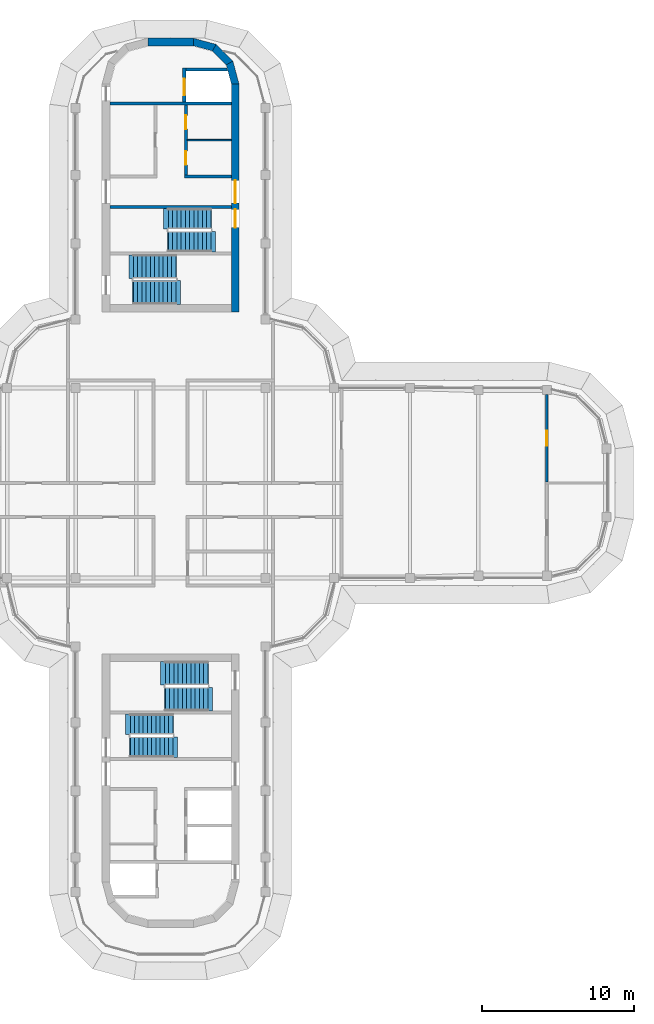
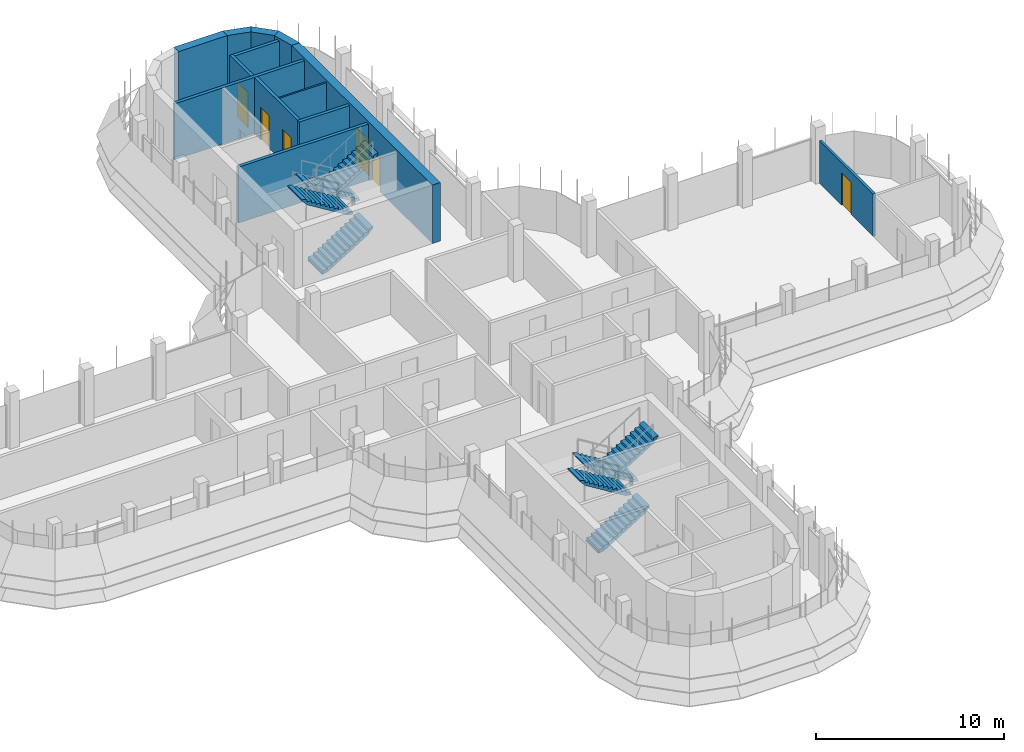
# One storey, part 15 of 19: 13 walls, 8 stair flights, 6 doors, 6 openings, 4 elements without a shape of their own.
"""IFC4 building model written with IfcOpenShell, lengths in metres."""

from ifc_helpers import new_model, si_unit, direction, frame, frame_2d, origin, place, context, subcontext, project, spatial, polyline, rectangle, outline, extrude, material, layer, layer_set, type_object, element, fill, aggregate, save


model = new_model("IFC4")

# Units and contexts
model_context = context("Model", 3, precision=1e-05, world=origin(), true_north=direction((0.0, 1.0)))
body_context = subcontext(model_context, "Body", "Model", "MODEL_VIEW")
ifc_project = project(units=[si_unit("LENGTHUNIT", "METRE"), si_unit("AREAUNIT", "SQUARE_METRE"), si_unit("VOLUMEUNIT", "CUBIC_METRE"), si_unit("PLANEANGLEUNIT", "RADIAN"), si_unit("MASSUNIT", "GRAM", prefix="KILO")], contexts=[model_context])

# Site, building, storey
site_placement = place(None, origin())
site = spatial("IfcSite", under=ifc_project, at=site_placement, CompositionType="ELEMENT")
building_placement = place(site_placement, origin())
building = spatial("IfcBuilding", under=site, at=building_placement, Name="Zarbagh Exchange Tower", CompositionType="ELEMENT")
storey_placement = place(building_placement, frame((0.0, 0.0, 276.39990234375)))
storey = spatial("IfcBuildingStorey", under=building, at=storey_placement, Name="L68", CompositionType="ELEMENT", Elevation=276.39990234375)

# Wall
ifc_material_1 = material(Name="Dense blockwork", Category="masonry")
ifc_layer_1 = layer(ifc_material_1, 0.10009765625)
ifc_layer_set_1 = layer_set([ifc_layer_1], Name="Core partition 100 mm blockwork")
wall_type_1 = type_object("IfcWallType", Name="Core partition 100 mm blockwork", PredefinedType="PARTITIONING", material=ifc_layer_set_1)
wall_1_placement = place(storey_placement, frame((1.10009765625, 22.550048828125, 0.0), z_axis=(0.0, 0.0, 1.0), x_axis=(1.0, 0.0, 0.0)))
element("IfcWall", 1, at=wall_1_placement, inside=storey, type_object=wall_type_1, Name="North core partition wall CUT-E-580", PredefinedType="PARTITIONING", context=body_context, shape_type="SweptSolid", body=[
    extrude(rectangle(XDim=2.89990234375, YDim=0.10009765625, at=frame_2d((1.449951171875, 0.0))), origin(), (0.0, 0.0, 1.0), 3.650146484375),
])

# Wall, opening, door
ifc_material_2 = material(Name="Plasterboard partition")
ifc_layer_2 = layer(ifc_material_2, 0.14990234375)
ifc_layer_set_2 = layer_set([ifc_layer_2], Name="PARTITION 150")
wall_type_2 = type_object("IfcWallType", Name="PARTITION 150", PredefinedType="PARTITIONING", material=ifc_layer_set_2)
wall_2_placement = place(storey_placement, frame((24.75, 5.81005859375, 0.0), z_axis=(0.0, 0.0, 1.0), x_axis=(0.0, -1.0, 0.0)))
wall_2 = element("IfcWall", 2, at=wall_2_placement, inside=storey, type_object=wall_type_2, Name="Partition W-2935", PredefinedType="PARTITIONING", context=body_context, shape_type="SweptSolid", body=[
    extrude(rectangle(XDim=5.735107421875, YDim=0.14990234375, at=frame_2d((2.86767578125, 0.0))), origin(), (0.0, 0.0, 1.0), 2.75),
])
opening_1_placement = place(wall_2_placement, frame((2.367431640625, 0.0, 0.0)))
opening_1 = element("IfcOpeningElement", 3, at=opening_1_placement, cuts=wall_2, Name="Opening D-2901", PredefinedType="OPENING", context=body_context, shape_type="SweptSolid", body=[
    extrude(rectangle(XDim=1.0, YDim=2.10009765625, at=frame_2d((0.5, 1.050048828125))), frame((0.0, 0.0849609375, 0.0), z_axis=(0.0, -1.0, 0.0), x_axis=(1.0, 0.0, 0.0)), (0.0, 0.0, 1.0), 0.169921875),
])
ifc_material_3 = material(Name="Timber door leaf", Category="wood")
door_type_1 = type_object("IfcDoorType", Name="DOOR 1000 X 2100", OperationType="NOTDEFINED", PredefinedType="DOOR", material=ifc_material_3)
door_1_placement = place(opening_1_placement, origin())
door_1 = element("IfcDoor", 4, at=door_1_placement, inside=storey, type_object=door_type_1, Name="Door D-2901", OperationType="SINGLE_SWING_RIGHT", OverallHeight=2.10009765625, OverallWidth=1.0, PredefinedType="DOOR", context=body_context, shape_type="SweptSolid", body=[
    extrude(rectangle(XDim=1.0, YDim=2.10009765625, at=frame_2d((0.5, 1.050048828125))), frame((0.0, 0.02490234375, 0.0), z_axis=(0.0, -1.0, 0.0), x_axis=(1.0, 0.0, 0.0)), (0.0, 0.0, 1.0), 0.050048828125),
])
fill(opening_1, door_1)

# Walls
ifc_material_4 = material(Name="Concrete C40/50", Category="concrete")
ifc_layer_3 = layer(ifc_material_4, 0.5)
ifc_layer_set_3 = layer_set([ifc_layer_3], Name="RC core corner wall 500 C40/50")
wall_type_3 = type_object("IfcWallType", Name="RC core corner wall 500 C40/50", PredefinedType="SHEAR", material=ifc_layer_set_3)
wall_3_placement = place(storey_placement, origin())
element("IfcWall", 5, at=wall_3_placement, inside=storey, type_object=wall_type_3, Name="CW10 core N corner E", PredefinedType="SHEAR", context=body_context, shape_type="SweptSolid", body=[
    extrude(outline(polyline([(4.5, 26.25), (4.09814453125, 27.75), (3.6650390625, 27.5), (4.0, 26.25), (4.5, 26.25)])), origin(), (0.0, 0.0, 1.0), 3.800048828125),
])
wall_4_placement = place(storey_placement, origin())
element("IfcWall", 6, at=wall_4_placement, inside=storey, type_object=wall_type_3, Name="CW10 core N corner E", PredefinedType="SHEAR", context=body_context, shape_type="SweptSolid", body=[
    extrude(outline(polyline([(4.09814453125, 27.75), (3.0, 28.84814453125), (2.75, 28.4150390625), (3.6650390625, 27.5), (4.09814453125, 27.75)])), origin(), (0.0, 0.0, 1.0), 3.800048828125),
])
wall_5_placement = place(storey_placement, origin())
element("IfcWall", 7, at=wall_5_placement, inside=storey, type_object=wall_type_3, Name="CW10 core N corner E", PredefinedType="SHEAR", context=body_context, shape_type="SweptSolid", body=[
    extrude(outline(polyline([(3.0, 28.84814453125), (1.5, 29.25), (1.5, 28.75), (2.75, 28.4150390625), (3.0, 28.84814453125)])), origin(), (0.0, 0.0, 1.0), 3.800048828125),
])

# Wall, openings, doors
ifc_layer_4 = layer(ifc_material_4, 0.5)
ifc_layer_set_4 = layer_set([ifc_layer_4], Name="RC core wall 500 C40/50")
wall_type_4 = type_object("IfcWallType", Name="RC core wall 500 C40/50", PredefinedType="SHEAR", material=ifc_layer_set_4)
wall_6_placement = place(storey_placement, frame((4.25, 11.25, 0.0), z_axis=(0.0, 0.0, 1.0), x_axis=(0.0, 1.0, 0.0)))
wall_6 = element("IfcWall", 8, at=wall_6_placement, inside=storey, type_object=wall_type_4, Name="CW9 core N E", PredefinedType="SHEAR", context=body_context, shape_type="SweptSolid", body=[
    extrude(rectangle(XDim=15.0, YDim=0.5, at=frame_2d((7.5, 0.0))), origin(), (0.0, 0.0, 1.0), 3.800048828125),
])
opening_2_placement = place(wall_6_placement, frame((7.14990234375, 0.0, 0.0)))
opening_2 = element("IfcOpeningElement", 9, at=opening_2_placement, cuts=wall_6, Name="Opening CD1-1500", PredefinedType="OPENING", context=body_context, shape_type="SweptSolid", body=[
    extrude(rectangle(XDim=1.5, YDim=2.300048828125, at=frame_2d((0.75, 1.14990234375))), frame((0.0, 0.260009765625, 0.0), z_axis=(0.0, -1.0, 0.0), x_axis=(1.0, 0.0, 0.0)), (0.0, 0.0, 1.0), 0.52001953125),
])
opening_3_placement = place(wall_6_placement, frame((5.550048828125, 0.0, 0.0)))
opening_3 = element("IfcOpeningElement", 10, at=opening_3_placement, cuts=wall_6, Name="Opening SD1-1200", PredefinedType="OPENING", context=body_context, shape_type="SweptSolid", body=[
    extrude(rectangle(XDim=1.199951171875, YDim=2.10009765625, at=frame_2d((0.60009765625, 1.050048828125))), frame((0.0, 0.260009765625, 0.0), z_axis=(0.0, -1.0, 0.0), x_axis=(1.0, 0.0, 0.0)), (0.0, 0.0, 1.0), 0.52001953125),
])
ifc_material_5 = material(Name="Steel", Category="steel")
door_type_2 = type_object("IfcDoorType", Name="Exit stair door 1200 x 2100", OperationType="NOTDEFINED", PredefinedType="DOOR", material=ifc_material_5)
door_2_placement = place(opening_3_placement, origin())
door_2 = element("IfcDoor", 11, at=door_2_placement, inside=storey, type_object=door_type_2, Name="North core stair door ST1", OperationType="SINGLE_SWING_RIGHT", OverallHeight=2.10009765625, OverallWidth=1.199951171875, PredefinedType="DOOR", context=body_context, shape_type="SweptSolid", body=[
    extrude(rectangle(XDim=1.199951171875, YDim=2.10009765625, at=frame_2d((0.60009765625, 1.050048828125))), frame((0.0, 0.02490234375, 0.0), z_axis=(0.0, -1.0, 0.0), x_axis=(1.0, 0.0, 0.0)), (0.0, 0.0, 1.0), 0.050048828125),
])
fill(opening_3, door_2)
door_type_3 = type_object("IfcDoorType", Name="Lift lobby double door 1500 x 2300", OperationType="NOTDEFINED", PredefinedType="DOOR", material=ifc_material_5)
door_3_placement = place(opening_2_placement, origin())
door_3 = element("IfcDoor", 12, at=door_3_placement, inside=storey, type_object=door_type_3, Name="North core lift lobby door LOBBY-E", OperationType="DOUBLE_DOOR_SINGLE_SWING", OverallHeight=2.300048828125, OverallWidth=1.5, PredefinedType="DOOR", context=body_context, shape_type="SweptSolid", body=[
    extrude(rectangle(XDim=1.5, YDim=2.300048828125, at=frame_2d((0.75, 1.14990234375))), frame((0.0, 0.02490234375, 0.0), z_axis=(0.0, -1.0, 0.0), x_axis=(1.0, 0.0, 0.0)), (0.0, 0.0, 1.0), 0.050048828125),
])
fill(opening_2, door_3)

# Walls
wall_7_placement = place(storey_placement, frame((-1.5, 29.0, 0.0), z_axis=(0.0, 0.0, 1.0), x_axis=(1.0, 0.0, 0.0)))
element("IfcWall", 13, at=wall_7_placement, inside=storey, type_object=wall_type_4, Name="CW9 core N outer end", PredefinedType="SHEAR", context=body_context, shape_type="SweptSolid", body=[
    extrude(rectangle(XDim=3.0, YDim=0.5, at=frame_2d((1.5, 0.0))), origin(), (0.0, 0.0, 1.0), 3.800048828125),
])
ifc_layer_5 = layer(ifc_material_1, 0.199951171875)
ifc_layer_set_5 = layer_set([ifc_layer_5], Name="Shaft wall 200 mm blockwork")
wall_type_5 = type_object("IfcWallType", Name="Shaft wall 200 mm blockwork", PredefinedType="PARTITIONING", material=ifc_layer_set_5)
wall_8_placement = place(storey_placement, frame((0.89990234375, 20.14990234375, 0.0), z_axis=(0.0, 0.0, 1.0), x_axis=(1.0, 0.0, 0.0)))
element("IfcWall", 14, at=wall_8_placement, inside=storey, type_object=wall_type_5, Name="North core shaft wall AB-E", PredefinedType="PARTITIONING", context=body_context, shape_type="SweptSolid", body=[
    extrude(rectangle(XDim=3.10009765625, YDim=0.199951171875, at=frame_2d((1.550048828125, 0.0))), origin(), (0.0, 0.0, 1.0), 3.650146484375),
])

# Wall, openings, doors
wall_9_placement = place(storey_placement, frame((1.0, 24.85009765625, 0.0), z_axis=(0.0, 0.0, 1.0), x_axis=(0.0, -1.0, 0.0)))
wall_9 = element("IfcWall", 15, at=wall_9_placement, inside=storey, type_object=wall_type_5, Name="North core shaft wall LW-E", PredefinedType="PARTITIONING", context=body_context, shape_type="SweptSolid", body=[
    extrude(rectangle(XDim=4.60009765625, YDim=0.199951171875, at=frame_2d((2.300048828125, 0.0))), origin(), (0.0, 0.0, 1.0), 3.650146484375),
])
opening_4_placement = place(wall_9_placement, frame((0.675048828125, 0.0, 0.0)))
opening_4 = element("IfcOpeningElement", 16, at=opening_4_placement, cuts=wall_9, Name="Opening CD3-900", PredefinedType="OPENING", context=body_context, shape_type="SweptSolid", body=[
    extrude(rectangle(XDim=0.89990234375, YDim=2.10009765625, at=frame_2d((0.449951171875, 1.050048828125))), frame((0.0, 0.10986328125, 0.0), z_axis=(0.0, -1.0, 0.0), x_axis=(1.0, 0.0, 0.0)), (0.0, 0.0, 1.0), 0.219970703125),
])
opening_5_placement = place(wall_9_placement, frame((3.02490234375, 0.0, 0.0)))
opening_5 = element("IfcOpeningElement", 17, at=opening_5_placement, cuts=wall_9, Name="Opening CD3-900", PredefinedType="OPENING", context=body_context, shape_type="SweptSolid", body=[
    extrude(rectangle(XDim=0.89990234375, YDim=2.10009765625, at=frame_2d((0.449951171875, 1.050048828125))), frame((0.0, 0.10986328125, 0.0), z_axis=(0.0, -1.0, 0.0), x_axis=(1.0, 0.0, 0.0)), (0.0, 0.0, 1.0), 0.219970703125),
])
door_type_4 = type_object("IfcDoorType", Name="Core room door 900 x 2100", OperationType="NOTDEFINED", PredefinedType="DOOR", material=ifc_material_5)
door_4_placement = place(opening_4_placement, origin())
door_4 = element("IfcDoor", 18, at=door_4_placement, inside=storey, type_object=door_type_4, Name="North core Staff WC door RD-E-0", OperationType="SINGLE_SWING_LEFT", OverallHeight=2.10009765625, OverallWidth=0.89990234375, PredefinedType="DOOR", context=body_context, shape_type="SweptSolid", body=[
    extrude(rectangle(XDim=0.89990234375, YDim=2.10009765625, at=frame_2d((0.449951171875, 1.050048828125))), frame((0.0, 0.02490234375, 0.0), z_axis=(0.0, -1.0, 0.0), x_axis=(1.0, 0.0, 0.0)), (0.0, 0.0, 1.0), 0.050048828125),
])
fill(opening_4, door_4)
door_5_placement = place(opening_5_placement, origin())
door_5 = element("IfcDoor", 19, at=door_5_placement, inside=storey, type_object=door_type_4, Name="North core Accessible WC door RD-E-1", OperationType="SINGLE_SWING_RIGHT", OverallHeight=2.10009765625, OverallWidth=0.89990234375, PredefinedType="DOOR", context=body_context, shape_type="SweptSolid", body=[
    extrude(rectangle(XDim=0.89990234375, YDim=2.10009765625, at=frame_2d((0.449951171875, 1.050048828125))), frame((0.0, 0.02490234375, 0.0), z_axis=(0.0, -1.0, 0.0), x_axis=(1.0, 0.0, 0.0)), (0.0, 0.0, 1.0), 0.050048828125),
])
fill(opening_5, door_5)

# Wall
ifc_layer_6 = layer(ifc_material_4, 0.199951171875)
ifc_layer_set_6 = layer_set([ifc_layer_6], Name="Stair enclosure wall 200 mm RC C40/50")
wall_type_6 = type_object("IfcWallType", Name="Stair enclosure wall 200 mm RC C40/50", PredefinedType="SHEAR", material=ifc_layer_set_6)
wall_10_placement = place(storey_placement, frame((-4.0, 24.949951171875, 0.0), z_axis=(0.0, 0.0, 1.0), x_axis=(1.0, 0.0, 0.0)))
element("IfcWall", 20, at=wall_10_placement, inside=storey, type_object=wall_type_6, Name="North core lift shaft wall FFA", PredefinedType="SHEAR", context=body_context, shape_type="SweptSolid", body=[
    extrude(rectangle(XDim=8.0, YDim=0.199951171875, at=frame_2d((4.0, 0.0))), origin(), (0.0, 0.0, 1.0), 3.650146484375),
])

# Wall, opening, door
wall_11_placement = place(storey_placement, frame((0.89990234375, 27.300048828125, 0.0), z_axis=(0.0, 0.0, 1.0), x_axis=(0.0, -1.0, 0.0)))
wall_11 = element("IfcWall", 21, at=wall_11_placement, inside=storey, type_object=wall_type_6, Name="North core lift shaft wall FFL", PredefinedType="SHEAR", context=body_context, shape_type="SweptSolid", body=[
    extrude(rectangle(XDim=2.25, YDim=0.199951171875, at=frame_2d((1.125, 0.0))), origin(), (0.0, 0.0, 1.0), 3.650146484375),
])
opening_6_placement = place(wall_11_placement, frame((0.699951171875, 0.0, 0.0)))
opening_6 = element("IfcOpeningElement", 22, at=opening_6_placement, cuts=wall_11, Name="Opening LD-1100", PredefinedType="OPENING", context=body_context, shape_type="SweptSolid", body=[
    extrude(rectangle(XDim=1.10009765625, YDim=2.300048828125, at=frame_2d((0.550048828125, 1.14990234375))), frame((0.0, 0.10986328125, 0.0), z_axis=(0.0, -1.0, 0.0), x_axis=(1.0, 0.0, 0.0)), (0.0, 0.0, 1.0), 0.219970703125),
])
ifc_material_6 = material(Name="Stainless steel", Category="steel")
door_type_5 = type_object("IfcDoorType", Name="Lift landing door 1100 x 2300", OperationType="NOTDEFINED", PredefinedType="DOOR", material=ifc_material_6)
door_6_placement = place(opening_6_placement, origin())
door_6 = element("IfcDoor", 23, at=door_6_placement, inside=storey, type_object=door_type_5, Name="North core lift landing door LD-F", OperationType="DOUBLE_DOOR_SLIDING", OverallHeight=2.300048828125, OverallWidth=1.10009765625, PredefinedType="DOOR", context=body_context, shape_type="SweptSolid", body=[
    extrude(rectangle(XDim=1.10009765625, YDim=2.300048828125, at=frame_2d((0.550048828125, 1.14990234375))), frame((0.0, 0.02490234375, 0.0), z_axis=(0.0, -1.0, 0.0), x_axis=(1.0, 0.0, 0.0)), (0.0, 0.0, 1.0), 0.050048828125),
])
fill(opening_6, door_6)

# Walls
wall_12_placement = place(storey_placement, origin())
element("IfcWall", 24, at=wall_12_placement, inside=storey, type_object=wall_type_6, Name="North core lift shaft wall FFX", PredefinedType="SHEAR", context=body_context, shape_type="SweptSolid", body=[
    extrude(outline(polyline([(1.0, 27.10009765625), (3.754638671875, 27.10009765625), (3.700927734375, 27.300048828125), (1.0, 27.300048828125), (1.0, 27.10009765625)])), origin(), (0.0, 0.0, 1.0), 3.650146484375),
])
wall_13_placement = place(storey_placement, frame((-4.0, 18.14990234375, 0.0), z_axis=(0.0, 0.0, 1.0), x_axis=(1.0, 0.0, 0.0)))
element("IfcWall", 25, at=wall_13_placement, inside=storey, type_object=wall_type_6, Name="North core stair wall BS", PredefinedType="SHEAR", context=body_context, shape_type="SweptSolid", body=[
    extrude(rectangle(XDim=8.0, YDim=0.199951171875, at=frame_2d((4.0, 0.0))), origin(), (0.0, 0.0, 1.0), 3.650146484375),
])

# Stair, stair flights
stair_type = type_object("IfcStairType", Name="Exit stair two-flight half-turn", PredefinedType="HALF_TURN_STAIR", material=ifc_material_4)
stair_1_placement = place(storey_placement, origin())
stair_1 = element("IfcStair", 26, at=stair_1_placement, inside=storey, type_object=stair_type, Name="exit stair ST1", PredefinedType="HALF_TURN_STAIR")
stair_flight_type_1 = type_object("IfcStairFlightType", Name="Stair flight 1350 mm", PredefinedType="STRAIGHT", material=ifc_material_4)
stair_flight_1_placement = place(storey_placement, frame((2.64990234375, 17.375, 0.0), z_axis=(0.0, 0.0, 1.0), x_axis=(-1.0, 0.0, 0.0)))
stair_flight_1 = element("IfcStairFlight", 27, at=stair_flight_1_placement, type_object=stair_flight_type_1, Name="ST1 flight 1", NumberOfRisers=11, NumberOfTreads=10, PredefinedType="STRAIGHT", RiserHeight=0.172727273, TreadLength=0.28, context=body_context, shape_type="SweptSolid", body=[
    extrude(outline(polyline([(-0.050048828125, -0.050048828125), (-0.050048828125, 0.0), (0.0, 0.0), (0.0, 0.172607421875), (0.280029296875, 0.172607421875), (0.280029296875, 0.345458984375), (0.56005859375, 0.345458984375), (0.56005859375, 0.51806640625), (0.840087890625, 0.51806640625), (0.840087890625, 0.69091796875), (1.1201171875, 0.69091796875), (1.1201171875, 0.863525390625), (1.39990234375, 0.863525390625), (1.39990234375, 1.036376953125), (1.679931640625, 1.036376953125), (1.679931640625, 1.208984375), (1.9599609375, 1.208984375), (1.9599609375, 1.3818359375), (2.239990234375, 1.3818359375), (2.239990234375, 1.554443359375), (2.52001953125, 1.554443359375), (2.52001953125, 1.727294921875), (2.800048828125, 1.727294921875), (2.800048828125, 1.89990234375), (3.10009765625, 1.97998046875), (3.10009765625, 1.89990234375), (2.800048828125, 1.551025390625), (0.285400390625, 0.0), (-0.050048828125, -0.050048828125)])), frame((0.0, 0.675048828125, 0.0), z_axis=(0.0, -1.0, 0.0), x_axis=(1.0, 0.0, 0.0)), (0.0, 0.0, 1.0), 1.35009765625),
])
stair_flight_2_placement = place(storey_placement, frame((-0.14990234375, 15.875, 1.900146484375), z_axis=(0.0, 0.0, 1.0), x_axis=(1.0, 0.0, 0.0)))
stair_flight_2 = element("IfcStairFlight", 28, at=stair_flight_2_placement, type_object=stair_flight_type_1, Name="ST1 flight 2", NumberOfRisers=11, NumberOfTreads=10, PredefinedType="STRAIGHT", RiserHeight=0.172727273, TreadLength=0.28, context=body_context, shape_type="SweptSolid", body=[
    extrude(outline(polyline([(-0.050048828125, -0.050048828125), (-0.050048828125, 0.0), (0.0, 0.0), (0.0, 0.172607421875), (0.280029296875, 0.172607421875), (0.280029296875, 0.345458984375), (0.56005859375, 0.345458984375), (0.56005859375, 0.51806640625), (0.840087890625, 0.51806640625), (0.840087890625, 0.69091796875), (1.1201171875, 0.69091796875), (1.1201171875, 0.863525390625), (1.39990234375, 0.863525390625), (1.39990234375, 1.036376953125), (1.679931640625, 1.036376953125), (1.679931640625, 1.208984375), (1.9599609375, 1.208984375), (1.9599609375, 1.3818359375), (2.239990234375, 1.3818359375), (2.239990234375, 1.554443359375), (2.52001953125, 1.554443359375), (2.52001953125, 1.727294921875), (2.800048828125, 1.727294921875), (2.800048828125, 1.89990234375), (3.10009765625, 1.97998046875), (3.10009765625, 1.89990234375), (2.800048828125, 1.551025390625), (0.285400390625, 0.0), (-0.050048828125, -0.050048828125)])), frame((0.0, 0.675048828125, 0.0), z_axis=(0.0, -1.0, 0.0), x_axis=(1.0, 0.0, 0.0)), (0.0, 0.0, 1.0), 1.35009765625),
])
aggregate(stair_1, [stair_flight_1, stair_flight_2])

stair_2_placement = place(storey_placement, origin())
stair_2 = element("IfcStair", 29, at=stair_2_placement, inside=storey, type_object=stair_type, Name="exit stair ST3", PredefinedType="HALF_TURN_STAIR")
stair_flight_3_placement = place(storey_placement, frame((-2.64990234375, -17.375, 0.0), z_axis=(0.0, 0.0, 1.0), x_axis=(1.0, 0.0, 0.0)))
stair_flight_3 = element("IfcStairFlight", 30, at=stair_flight_3_placement, type_object=stair_flight_type_1, Name="ST3 flight 1", NumberOfRisers=11, NumberOfTreads=10, PredefinedType="STRAIGHT", RiserHeight=0.172727273, TreadLength=0.28, context=body_context, shape_type="SweptSolid", body=[
    extrude(outline(polyline([(-0.050048828125, -0.050048828125), (-0.050048828125, 0.0), (0.0, 0.0), (0.0, 0.172607421875), (0.280029296875, 0.172607421875), (0.280029296875, 0.345458984375), (0.56005859375, 0.345458984375), (0.56005859375, 0.51806640625), (0.840087890625, 0.51806640625), (0.840087890625, 0.69091796875), (1.1201171875, 0.69091796875), (1.1201171875, 0.863525390625), (1.39990234375, 0.863525390625), (1.39990234375, 1.036376953125), (1.679931640625, 1.036376953125), (1.679931640625, 1.208984375), (1.9599609375, 1.208984375), (1.9599609375, 1.3818359375), (2.239990234375, 1.3818359375), (2.239990234375, 1.554443359375), (2.52001953125, 1.554443359375), (2.52001953125, 1.727294921875), (2.800048828125, 1.727294921875), (2.800048828125, 1.89990234375), (3.10009765625, 1.97998046875), (3.10009765625, 1.89990234375), (2.800048828125, 1.551025390625), (0.285400390625, 0.0), (-0.050048828125, -0.050048828125)])), frame((0.0, 0.675048828125, 0.0), z_axis=(0.0, -1.0, 0.0), x_axis=(1.0, 0.0, 0.0)), (0.0, 0.0, 1.0), 1.35009765625),
])
stair_flight_4_placement = place(storey_placement, frame((0.14990234375, -15.875, 1.900146484375), z_axis=(0.0, 0.0, 1.0), x_axis=(-1.0, 0.0, 0.0)))
stair_flight_4 = element("IfcStairFlight", 31, at=stair_flight_4_placement, type_object=stair_flight_type_1, Name="ST3 flight 2", NumberOfRisers=11, NumberOfTreads=10, PredefinedType="STRAIGHT", RiserHeight=0.172727273, TreadLength=0.28, context=body_context, shape_type="SweptSolid", body=[
    extrude(outline(polyline([(-0.050048828125, -0.050048828125), (-0.050048828125, 0.0), (0.0, 0.0), (0.0, 0.172607421875), (0.280029296875, 0.172607421875), (0.280029296875, 0.345458984375), (0.56005859375, 0.345458984375), (0.56005859375, 0.51806640625), (0.840087890625, 0.51806640625), (0.840087890625, 0.69091796875), (1.1201171875, 0.69091796875), (1.1201171875, 0.863525390625), (1.39990234375, 0.863525390625), (1.39990234375, 1.036376953125), (1.679931640625, 1.036376953125), (1.679931640625, 1.208984375), (1.9599609375, 1.208984375), (1.9599609375, 1.3818359375), (2.239990234375, 1.3818359375), (2.239990234375, 1.554443359375), (2.52001953125, 1.554443359375), (2.52001953125, 1.727294921875), (2.800048828125, 1.727294921875), (2.800048828125, 1.89990234375), (3.10009765625, 1.97998046875), (3.10009765625, 1.89990234375), (2.800048828125, 1.551025390625), (0.285400390625, 0.0), (-0.050048828125, -0.050048828125)])), frame((0.0, 0.675048828125, 0.0), z_axis=(0.0, -1.0, 0.0), x_axis=(1.0, 0.0, 0.0)), (0.0, 0.0, 1.0), 1.35009765625),
])
aggregate(stair_2, [stair_flight_3, stair_flight_4])

stair_3_placement = place(storey_placement, origin())
stair_3 = element("IfcStair", 32, at=stair_3_placement, inside=storey, type_object=stair_type, Name="exit stair ST2", PredefinedType="HALF_TURN_STAIR")
stair_flight_type_2 = type_object("IfcStairFlightType", Name="Stair flight 1550 mm", PredefinedType="STRAIGHT", material=ifc_material_4)
stair_flight_5_placement = place(storey_placement, frame((-2.449951171875, 12.52490234375, 0.0), z_axis=(0.0, 0.0, 1.0), x_axis=(1.0, 0.0, 0.0)))
stair_flight_5 = element("IfcStairFlight", 33, at=stair_flight_5_placement, type_object=stair_flight_type_2, Name="ST2 flight 1", NumberOfRisers=11, NumberOfTreads=10, PredefinedType="STRAIGHT", RiserHeight=0.172727273, TreadLength=0.28, context=body_context, shape_type="SweptSolid", body=[
    extrude(outline(polyline([(-0.050048828125, -0.050048828125), (-0.050048828125, 0.0), (0.0, 0.0), (0.0, 0.172607421875), (0.280029296875, 0.172607421875), (0.280029296875, 0.345458984375), (0.56005859375, 0.345458984375), (0.56005859375, 0.51806640625), (0.840087890625, 0.51806640625), (0.840087890625, 0.69091796875), (1.1201171875, 0.69091796875), (1.1201171875, 0.863525390625), (1.39990234375, 0.863525390625), (1.39990234375, 1.036376953125), (1.679931640625, 1.036376953125), (1.679931640625, 1.208984375), (1.9599609375, 1.208984375), (1.9599609375, 1.3818359375), (2.239990234375, 1.3818359375), (2.239990234375, 1.554443359375), (2.52001953125, 1.554443359375), (2.52001953125, 1.727294921875), (2.800048828125, 1.727294921875), (2.800048828125, 1.89990234375), (3.10009765625, 1.97998046875), (3.10009765625, 1.89990234375), (2.800048828125, 1.551025390625), (0.285400390625, 0.0), (-0.050048828125, -0.050048828125)])), frame((0.0, 0.77490234375, 0.0), z_axis=(0.0, -1.0, 0.0), x_axis=(1.0, 0.0, 0.0)), (0.0, 0.0, 1.0), 1.550048828125),
])
stair_flight_6_placement = place(storey_placement, frame((0.35009765625, 14.22509765625, 1.900146484375), z_axis=(0.0, 0.0, 1.0), x_axis=(-1.0, 0.0, 0.0)))
stair_flight_6 = element("IfcStairFlight", 34, at=stair_flight_6_placement, type_object=stair_flight_type_2, Name="ST2 flight 2", NumberOfRisers=11, NumberOfTreads=10, PredefinedType="STRAIGHT", RiserHeight=0.172727273, TreadLength=0.28, context=body_context, shape_type="SweptSolid", body=[
    extrude(outline(polyline([(-0.050048828125, -0.050048828125), (-0.050048828125, 0.0), (0.0, 0.0), (0.0, 0.172607421875), (0.280029296875, 0.172607421875), (0.280029296875, 0.345458984375), (0.56005859375, 0.345458984375), (0.56005859375, 0.51806640625), (0.840087890625, 0.51806640625), (0.840087890625, 0.69091796875), (1.1201171875, 0.69091796875), (1.1201171875, 0.863525390625), (1.39990234375, 0.863525390625), (1.39990234375, 1.036376953125), (1.679931640625, 1.036376953125), (1.679931640625, 1.208984375), (1.9599609375, 1.208984375), (1.9599609375, 1.3818359375), (2.239990234375, 1.3818359375), (2.239990234375, 1.554443359375), (2.52001953125, 1.554443359375), (2.52001953125, 1.727294921875), (2.800048828125, 1.727294921875), (2.800048828125, 1.89990234375), (3.10009765625, 1.97998046875), (3.10009765625, 1.89990234375), (2.800048828125, 1.551025390625), (0.285400390625, 0.0), (-0.050048828125, -0.050048828125)])), frame((0.0, 0.77490234375, 0.0), z_axis=(0.0, -1.0, 0.0), x_axis=(1.0, 0.0, 0.0)), (0.0, 0.0, 1.0), 1.550048828125),
])
aggregate(stair_3, [stair_flight_5, stair_flight_6])

stair_4_placement = place(storey_placement, origin())
stair_4 = element("IfcStair", 35, at=stair_4_placement, inside=storey, type_object=stair_type, Name="exit stair ST4", PredefinedType="HALF_TURN_STAIR")
stair_flight_7_placement = place(storey_placement, frame((2.449951171875, -12.52490234375, 0.0), z_axis=(0.0, 0.0, 1.0), x_axis=(-1.0, 0.0, 0.0)))
stair_flight_7 = element("IfcStairFlight", 36, at=stair_flight_7_placement, type_object=stair_flight_type_2, Name="ST4 flight 1", NumberOfRisers=11, NumberOfTreads=10, PredefinedType="STRAIGHT", RiserHeight=0.172727273, TreadLength=0.28, context=body_context, shape_type="SweptSolid", body=[
    extrude(outline(polyline([(-0.050048828125, -0.050048828125), (-0.050048828125, 0.0), (0.0, 0.0), (0.0, 0.172607421875), (0.280029296875, 0.172607421875), (0.280029296875, 0.345458984375), (0.56005859375, 0.345458984375), (0.56005859375, 0.51806640625), (0.840087890625, 0.51806640625), (0.840087890625, 0.69091796875), (1.1201171875, 0.69091796875), (1.1201171875, 0.863525390625), (1.39990234375, 0.863525390625), (1.39990234375, 1.036376953125), (1.679931640625, 1.036376953125), (1.679931640625, 1.208984375), (1.9599609375, 1.208984375), (1.9599609375, 1.3818359375), (2.239990234375, 1.3818359375), (2.239990234375, 1.554443359375), (2.52001953125, 1.554443359375), (2.52001953125, 1.727294921875), (2.800048828125, 1.727294921875), (2.800048828125, 1.89990234375), (3.10009765625, 1.97998046875), (3.10009765625, 1.89990234375), (2.800048828125, 1.551025390625), (0.285400390625, 0.0), (-0.050048828125, -0.050048828125)])), frame((0.0, 0.77490234375, 0.0), z_axis=(0.0, -1.0, 0.0), x_axis=(1.0, 0.0, 0.0)), (0.0, 0.0, 1.0), 1.550048828125),
])
stair_flight_8_placement = place(storey_placement, frame((-0.35009765625, -14.22509765625, 1.900146484375), z_axis=(0.0, 0.0, 1.0), x_axis=(1.0, 0.0, 0.0)))
stair_flight_8 = element("IfcStairFlight", 37, at=stair_flight_8_placement, type_object=stair_flight_type_2, Name="ST4 flight 2", NumberOfRisers=11, NumberOfTreads=10, PredefinedType="STRAIGHT", RiserHeight=0.172727273, TreadLength=0.28, context=body_context, shape_type="SweptSolid", body=[
    extrude(outline(polyline([(-0.050048828125, -0.050048828125), (-0.050048828125, 0.0), (0.0, 0.0), (0.0, 0.172607421875), (0.280029296875, 0.172607421875), (0.280029296875, 0.345458984375), (0.56005859375, 0.345458984375), (0.56005859375, 0.51806640625), (0.840087890625, 0.51806640625), (0.840087890625, 0.69091796875), (1.1201171875, 0.69091796875), (1.1201171875, 0.863525390625), (1.39990234375, 0.863525390625), (1.39990234375, 1.036376953125), (1.679931640625, 1.036376953125), (1.679931640625, 1.208984375), (1.9599609375, 1.208984375), (1.9599609375, 1.3818359375), (2.239990234375, 1.3818359375), (2.239990234375, 1.554443359375), (2.52001953125, 1.554443359375), (2.52001953125, 1.727294921875), (2.800048828125, 1.727294921875), (2.800048828125, 1.89990234375), (3.10009765625, 1.97998046875), (3.10009765625, 1.89990234375), (2.800048828125, 1.551025390625), (0.285400390625, 0.0), (-0.050048828125, -0.050048828125)])), frame((0.0, 0.77490234375, 0.0), z_axis=(0.0, -1.0, 0.0), x_axis=(1.0, 0.0, 0.0)), (0.0, 0.0, 1.0), 1.550048828125),
])
aggregate(stair_4, [stair_flight_7, stair_flight_8])

save(model, "model.ifc")
